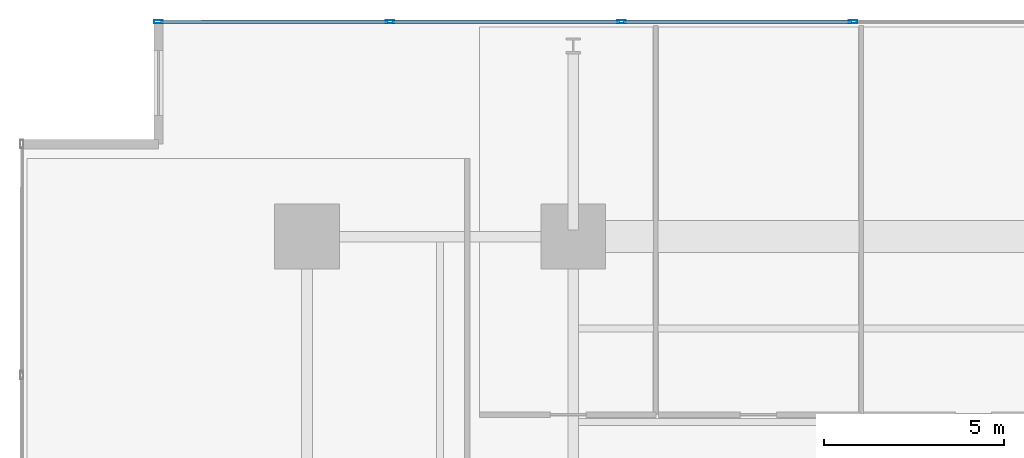
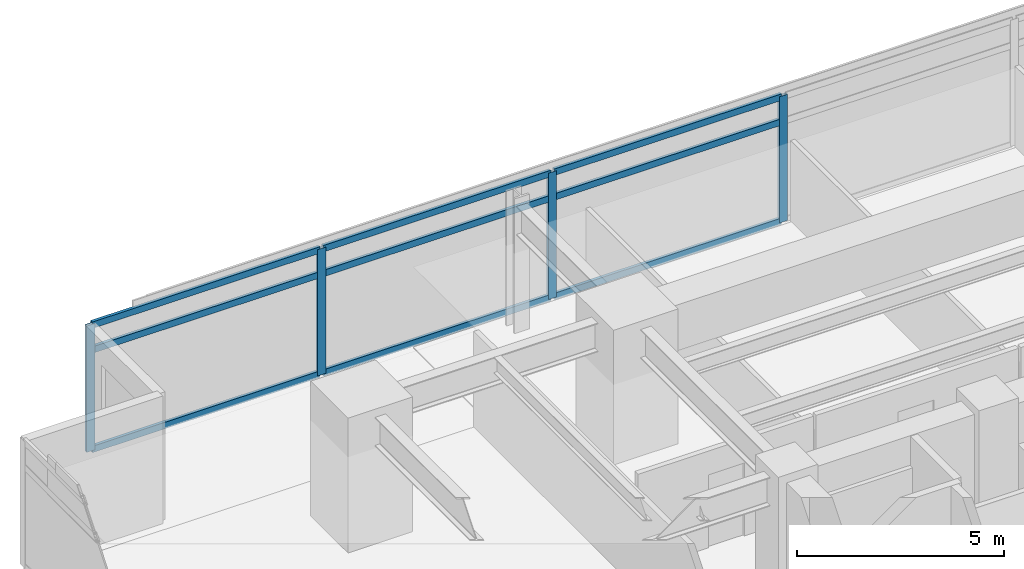
# One storey, part 8 of 21: 13 members, 1 element without a shape of its own.
"""IFC4 building model written with IfcOpenShell, lengths in metres."""

import ifcopenshell
import ifcopenshell.guid

model = None  # the IFC model being written
_history = None  # IfcOwnerHistory: only IFC2X3 demands one
_inside = {}  # id of a spatial element -> (the spatial element, [elements in it])
_under = {}  # id of a project, library or spatial element -> (it, [spatial elements below it])
_declared = {}  # id of a project -> (the project, [libraries it declares])
_typed = {}  # id of a type object -> (the type object, [elements of that type])
_made_of = {}  # id of a material, layer set ... -> (it, [elements and type objects made of it])


def new_model(schema):
    """Start an empty IFC model of exactly this schema.

    Asked for "IFC4X3", IfcOpenShell would pick the latest addendum, in which some entities
    have other attributes; the version numbers below select the first issue.
    IFC2X3 requires an IfcOwnerHistory on every rooted entity: one is made here for all.
    """
    global model, _history
    if schema == "IFC4X3":
        model = ifcopenshell.file(schema_version=(4, 3, 0, 0))
    else:
        model = ifcopenshell.file(schema=schema)
    _inside.clear()
    _under.clear()
    _declared.clear()
    _typed.clear()
    _made_of.clear()
    _history = None
    if model.schema == "IFC2X3":
        org = make("IfcOrganization", Name="unknown")
        user = make(
            "IfcPersonAndOrganization",
            ThePerson=make("IfcPerson", FamilyName="unknown"),
            TheOrganization=org,
        )
        app = make(
            "IfcApplication",
            ApplicationDeveloper=org,
            Version="unknown",
            ApplicationFullName="unknown",
            ApplicationIdentifier="unknown",
        )
        _history = make(
            "IfcOwnerHistory",
            OwningUser=user,
            OwningApplication=app,
            ChangeAction="ADDED",
            CreationDate=0,
        )
    return model


def make(cls, **values):
    """One entity of the class cls with the attributes given. An attribute that is None is left unset."""
    return model.create_entity(
        cls, **{name: value for name, value in values.items() if value is not None}
    )


def rooted(cls, **values):
    """An entity with a GlobalId (a new one), such as an element, a storey or a relation."""
    return make(cls, GlobalId=ifcopenshell.guid.new(), OwnerHistory=_history, **values)


def si_unit(unit_type, name, prefix=None):
    """IfcSIUnit, for example si_unit("LENGTHUNIT", "METRE", prefix="MILLI")."""
    return make("IfcSIUnit", UnitType=unit_type, Prefix=prefix, Name=name)


def assignment(units):
    """IfcUnitAssignment: the units of a project."""
    return None if units is None else make("IfcUnitAssignment", Units=units)


def point(xyz):
    """IfcCartesianPoint."""
    return None if xyz is None else make("IfcCartesianPoint", Coordinates=xyz)


def direction(xyz):
    """IfcDirection."""
    return None if xyz is None else make("IfcDirection", DirectionRatios=xyz)


def frame(location, z_axis=None, x_axis=None):
    """IfcAxis2Placement3D, a coordinate frame: its origin and axes. An axis left out is left unset."""
    return make(
        "IfcAxis2Placement3D",
        Location=point(location),
        Axis=direction(z_axis),
        RefDirection=direction(x_axis),
    )


def frame_2d(location, x_axis=None):
    """IfcAxis2Placement2D, a coordinate frame in the plane: its origin and x axis."""
    return make(
        "IfcAxis2Placement2D", Location=point(location), RefDirection=direction(x_axis)
    )


def origin():
    """The frame at (0, 0, 0) with its axes left unset."""
    return frame((0.0, 0.0, 0.0))


def origin_2d():
    """The frame at (0, 0) in the plane with its x axis left unset."""
    return frame_2d((0.0, 0.0))


def place(relative_to, where):
    """IfcLocalPlacement: puts the frame where relative to a parent placement (None: the world)."""
    return make(
        "IfcLocalPlacement", PlacementRelTo=relative_to, RelativePlacement=where
    )


def context(
    kind, dimensions, precision=None, world=None, true_north=None, identifier=None
):
    """IfcGeometricRepresentationContext, for example the 3D "Model" context."""
    return make(
        "IfcGeometricRepresentationContext",
        ContextIdentifier=identifier,
        ContextType=kind,
        CoordinateSpaceDimension=dimensions,
        Precision=precision,
        WorldCoordinateSystem=world,
        TrueNorth=true_north,
    )


def subcontext(parent, identifier, kind, view, scale=None):
    """IfcGeometricRepresentationSubContext, for example "Body" below "Model"."""
    return make(
        "IfcGeometricRepresentationSubContext",
        ContextIdentifier=identifier,
        ContextType=kind,
        ParentContext=parent,
        TargetScale=scale,
        TargetView=view,
    )


def project(units=None, contexts=None):
    """IfcProject with its units and contexts."""
    return rooted(
        "IfcProject",
        Name="project",
        RepresentationContexts=contexts,
        UnitsInContext=assignment(units),
    )


def spatial(cls, under=None, at=None, **own):
    """A site, building, storey or space (cls), placed at a placement, below another one or the project."""
    s = rooted(cls, ObjectPlacement=at, **own)
    if under is not None:
        _under.setdefault(under.id(), (under, []))[1].append(s)
    return s


def profile(cls, at=None, kind="AREA", **sizes):
    """A parametric profile (cls). Its sizes go by their IFC names, for example OverallWidth=200.0."""
    return make(cls, ProfileType=kind, Position=at, **sizes)


def hollow_rectangle(**sizes):
    """IfcRectangleHollowProfileDef."""
    return profile("IfcRectangleHollowProfileDef", **sizes)


def extrude(swept, where, along, depth):
    """IfcExtrudedAreaSolid: the profile swept, set in the frame where, extruded along a direction by depth."""
    return make(
        "IfcExtrudedAreaSolid",
        SweptArea=swept,
        Position=where,
        ExtrudedDirection=direction(along),
        Depth=depth,
    )


def shape(context_of_items, identifier, shape_type, items):
    """IfcShapeRepresentation: the items that make up one representation, for example the "Body"."""
    return make(
        "IfcShapeRepresentation",
        ContextOfItems=context_of_items,
        RepresentationIdentifier=identifier,
        RepresentationType=shape_type,
        Items=items,
    )


def material(Name=None, Category=None):
    """IfcMaterial."""
    return make("IfcMaterial", Name=Name, Category=Category)


def material_profile(
    of_material, cross_section, Name=None, Category=None, Priority=None
):
    """IfcMaterialProfile: a cross section and its material."""
    return make(
        "IfcMaterialProfile",
        Name=Name,
        Material=of_material,
        Profile=cross_section,
        Priority=Priority,
        Category=Category,
    )


def profile_set(profiles, Name=None, composite=None):
    """IfcMaterialProfileSet."""
    return make(
        "IfcMaterialProfileSet",
        Name=Name,
        MaterialProfiles=profiles,
        CompositeProfile=composite,
    )


def made_of(thing, what):
    """Note that an element or type object is made of a material, layer set ...; save() writes the relation."""
    if what is not None:
        _made_of.setdefault(what.id(), (what, []))[1].append(thing)
    return thing


def type_object(cls, material=None, **own):
    """A type object (cls), such as IfcWallType, which elements share."""
    return made_of(rooted(cls, **own), material)


def element(
    cls,
    number,
    at=None,
    inside=None,
    cuts=None,
    type_object=None,
    material=None,
    context=None,
    identifier="Body",
    shape_type=None,
    held_by="IfcProductDefinitionShape",
    body=None,
    shapes=None,
    **own,
):
    """One element of the class cls, such as IfcWall. Its Tag is "e" and its number.

    at: its placement. inside: the storey or other place that contains it. cuts: it is an
    opening in that element (IfcRelVoidsElement). A single representation is given by context,
    identifier, shape_type and body (its items); several are given by shapes. held_by: the class
    of the entity that holds the representations. save() writes the other relations.
    """
    e = rooted(cls, Tag="e%d" % number, ObjectPlacement=at, **own)
    if body is not None:
        shapes = [shape(context, identifier, shape_type, body)]
    if shapes is not None:
        e.Representation = make(held_by, Representations=shapes)
    if inside is not None:
        _inside.setdefault(inside.id(), (inside, []))[1].append(e)
    if cuts is not None:
        rooted(
            "IfcRelVoidsElement", RelatingBuildingElement=cuts, RelatedOpeningElement=e
        )
    if type_object is not None:
        _typed.setdefault(type_object.id(), (type_object, []))[1].append(e)
    return made_of(e, material)


def aggregate(whole, parts):
    """IfcRelAggregates: a whole, such as a stair, and the parts it consists of."""
    return rooted("IfcRelAggregates", RelatingObject=whole, RelatedObjects=parts)


def save(model, path):
    """Write the relations noted so far, then the file.

    IfcRelAggregates (storeys below a building ...), IfcRelContainedInSpatialStructure (elements
    in a storey), IfcRelDefinesByType, IfcRelAssociatesMaterial and IfcRelDeclares: one each for
    every whole, place, type object, material and project.
    """
    for whole, parts in _under.values():
        aggregate(whole, parts)
    for where, things in _inside.values():
        rooted(
            "IfcRelContainedInSpatialStructure",
            RelatedElements=things,
            RelatingStructure=where,
        )
    for kind, things in _typed.values():
        rooted("IfcRelDefinesByType", RelatedObjects=things, RelatingType=kind)
    for what, things in _made_of.values():
        rooted("IfcRelAssociatesMaterial", RelatedObjects=things, RelatingMaterial=what)
    for by, libraries in _declared.values():
        rooted("IfcRelDeclares", RelatingContext=by, RelatedDefinitions=libraries)
    model.write(path)


model = new_model("IFC4")

# Units and contexts
model_context = context("Model", 3, precision=1e-05, world=origin(), true_north=direction((0.0, 1.0)))
body_context = subcontext(model_context, "Body", "Model", "MODEL_VIEW")
ifc_project = project(units=[si_unit("LENGTHUNIT", "METRE"), si_unit("AREAUNIT", "SQUARE_METRE"), si_unit("VOLUMEUNIT", "CUBIC_METRE"), si_unit("PLANEANGLEUNIT", "RADIAN"), si_unit("MASSUNIT", "GRAM", prefix="KILO")], contexts=[model_context])

# Site, building, storey
site_placement = place(None, origin())
site = spatial("IfcSite", under=ifc_project, at=site_placement, CompositionType="ELEMENT")
building_placement = place(site_placement, origin())
building = spatial("IfcBuilding", under=site, at=building_placement, Name="Kovane Verandah Tower", CompositionType="ELEMENT")
storey_placement = place(building_placement, frame((0.0, 0.0, 87.60009765625)))
storey = spatial("IfcBuildingStorey", under=building, at=storey_placement, Name="L20", CompositionType="ELEMENT", Elevation=87.60009765625)

# Curtain wall, members
ifc_material_1 = material(Name="Champagne Anodised Aluminium Frame with Low-E Clear Laminated Glass", Category="aluminium")
curtain_wall_type = type_object("IfcCurtainWallType", Name="CW-SYS-02-LOW", PredefinedType="NOTDEFINED", material=ifc_material_1)
curtain_wall_placement = place(storey_placement, origin())
curtain_wall = element("IfcCurtainWall", 1, at=curtain_wall_placement, inside=storey, type_object=curtain_wall_type, Name="L20 N Unitised Curtain Wall", PredefinedType="NOTDEFINED")
ifc_material_2 = material(Name="Champagne Anodised Aluminium 6063-T6", Category="aluminium")
ifc_material_profile_1 = material_profile(ifc_material_2, hollow_rectangle(XDim=0.0849609375, YDim=0.22998046875, WallThickness=0.00390625, at=origin_2d()), Name="AL85x230x4")
ifc_profile_set_1 = profile_set([ifc_material_profile_1], Name="Champagne Anodised Aluminium 6063-T6")
member_type_1 = type_object("IfcMemberType", Name="CW-MUL-85x230", PredefinedType="MULLION", material=ifc_profile_set_1)
member_1_placement = place(storey_placement, frame((36.781494140625, 50.1708984375, 0.02001953125), z_axis=(0.0, 0.0, 1.0), x_axis=(0.0, 1.0, 0.0)))
member_1 = element("IfcMember", 2, at=member_1_placement, type_object=member_type_1, Name="L20 N Unitised Curtain Wall Mullion 5", PredefinedType="MULLION", context=body_context, shape_type="SweptSolid", body=[
    extrude(hollow_rectangle(XDim=0.0849609375, YDim=0.22998046875, WallThickness=0.00390625, at=origin_2d()), origin(), (0.0, 0.0, 1.0), 3.719970703125),
])
member_2_placement = place(storey_placement, frame((30.34423828125, 50.1708984375, 0.02001953125), z_axis=(0.0, 0.0, 1.0), x_axis=(0.0, 1.0, 0.0)))
member_2 = element("IfcMember", 3, at=member_2_placement, type_object=member_type_1, Name="L20 N Unitised Curtain Wall Mullion 6", PredefinedType="MULLION", context=body_context, shape_type="SweptSolid", body=[
    extrude(hollow_rectangle(XDim=0.0849609375, YDim=0.22998046875, WallThickness=0.00390625, at=origin_2d()), origin(), (0.0, 0.0, 1.0), 3.719970703125),
])
member_3_placement = place(storey_placement, frame((23.9072265625, 50.1708984375, 0.02001953125), z_axis=(0.0, 0.0, 1.0), x_axis=(0.0, 1.0, 0.0)))
member_3 = element("IfcMember", 4, at=member_3_placement, type_object=member_type_1, Name="L20 N Unitised Curtain Wall Mullion 7", PredefinedType="MULLION", context=body_context, shape_type="SweptSolid", body=[
    extrude(hollow_rectangle(XDim=0.0849609375, YDim=0.22998046875, WallThickness=0.00390625, at=origin_2d()), origin(), (0.0, 0.0, 1.0), 3.719970703125),
])
member_4_placement = place(storey_placement, frame((17.47021484375, 50.1708984375, 0.02001953125), z_axis=(0.0, 0.0, 1.0), x_axis=(0.0, 1.0, 0.0)))
member_4 = element("IfcMember", 5, at=member_4_placement, type_object=member_type_1, Name="L20 N Unitised Curtain Wall Mullion 8", PredefinedType="MULLION", context=body_context, shape_type="SweptSolid", body=[
    extrude(hollow_rectangle(XDim=0.0849609375, YDim=0.22998046875, WallThickness=0.00390625, at=origin_2d()), origin(), (0.0, 0.0, 1.0), 3.719970703125),
])
ifc_material_profile_2 = material_profile(ifc_material_2, hollow_rectangle(XDim=0.0849609375, YDim=0.18994140625, WallThickness=0.00390625, at=origin_2d()), Name="AL85x190x4")
ifc_profile_set_2 = profile_set([ifc_material_profile_2], Name="Champagne Anodised Aluminium 6063-T6")
member_type_2 = type_object("IfcMemberType", Name="CW-TRN-85x190", PredefinedType="USERDEFINED", material=ifc_profile_set_2)
member_5_placement = place(storey_placement, frame((36.7314453125, 50.1708984375, 0.0498046875), z_axis=(-1.0, 0.0, 0.0), x_axis=(0.0, -1.0, 0.0)))
member_5 = element("IfcMember", 6, at=member_5_placement, type_object=member_type_2, Name="L20 N Unitised Curtain Wall Transom TB Bay 5", ObjectType="TRANSOM", PredefinedType="USERDEFINED", context=body_context, shape_type="SweptSolid", body=[
    extrude(hollow_rectangle(XDim=0.0849609375, YDim=0.18994140625, WallThickness=0.00390625, at=origin_2d()), origin(), (0.0, 0.0, 1.0), 6.337158203125),
])
member_6_placement = place(storey_placement, frame((36.7314453125, 50.1708984375, 2.97998046875), z_axis=(-1.0, 0.0, 0.0), x_axis=(0.0, -1.0, 0.0)))
member_6 = element("IfcMember", 7, at=member_6_placement, type_object=member_type_2, Name="L20 N Unitised Curtain Wall Transom TM Bay 5", ObjectType="TRANSOM", PredefinedType="USERDEFINED", context=body_context, shape_type="SweptSolid", body=[
    extrude(hollow_rectangle(XDim=0.0849609375, YDim=0.18994140625, WallThickness=0.00390625, at=origin_2d()), origin(), (0.0, 0.0, 1.0), 6.337158203125),
])
member_7_placement = place(storey_placement, frame((36.7314453125, 50.1708984375, 3.7099609375), z_axis=(-1.0, 0.0, 0.0), x_axis=(0.0, -1.0, 0.0)))
member_7 = element("IfcMember", 8, at=member_7_placement, type_object=member_type_2, Name="L20 N Unitised Curtain Wall Transom TT Bay 5", ObjectType="TRANSOM", PredefinedType="USERDEFINED", context=body_context, shape_type="SweptSolid", body=[
    extrude(hollow_rectangle(XDim=0.0849609375, YDim=0.18994140625, WallThickness=0.00390625, at=origin_2d()), origin(), (0.0, 0.0, 1.0), 6.337158203125),
])
member_8_placement = place(storey_placement, frame((30.294189453125, 50.1708984375, 0.0498046875), z_axis=(-1.0, 0.0, 0.0), x_axis=(0.0, -1.0, 0.0)))
member_8 = element("IfcMember", 9, at=member_8_placement, type_object=member_type_2, Name="L20 N Unitised Curtain Wall Transom TB Bay 6", ObjectType="TRANSOM", PredefinedType="USERDEFINED", context=body_context, shape_type="SweptSolid", body=[
    extrude(hollow_rectangle(XDim=0.0849609375, YDim=0.18994140625, WallThickness=0.00390625, at=origin_2d()), origin(), (0.0, 0.0, 1.0), 6.3369140625),
])
member_9_placement = place(storey_placement, frame((30.294189453125, 50.1708984375, 2.97998046875), z_axis=(-1.0, 0.0, 0.0), x_axis=(0.0, -1.0, 0.0)))
member_9 = element("IfcMember", 10, at=member_9_placement, type_object=member_type_2, Name="L20 N Unitised Curtain Wall Transom TM Bay 6", ObjectType="TRANSOM", PredefinedType="USERDEFINED", context=body_context, shape_type="SweptSolid", body=[
    extrude(hollow_rectangle(XDim=0.0849609375, YDim=0.18994140625, WallThickness=0.00390625, at=origin_2d()), origin(), (0.0, 0.0, 1.0), 6.3369140625),
])
member_10_placement = place(storey_placement, frame((30.294189453125, 50.1708984375, 3.7099609375), z_axis=(-1.0, 0.0, 0.0), x_axis=(0.0, -1.0, 0.0)))
member_10 = element("IfcMember", 11, at=member_10_placement, type_object=member_type_2, Name="L20 N Unitised Curtain Wall Transom TT Bay 6", ObjectType="TRANSOM", PredefinedType="USERDEFINED", context=body_context, shape_type="SweptSolid", body=[
    extrude(hollow_rectangle(XDim=0.0849609375, YDim=0.18994140625, WallThickness=0.00390625, at=origin_2d()), origin(), (0.0, 0.0, 1.0), 6.3369140625),
])
member_11_placement = place(storey_placement, frame((23.857177734375, 50.1708984375, 0.0498046875), z_axis=(-1.0, 0.0, 0.0), x_axis=(0.0, -1.0, 0.0)))
member_11 = element("IfcMember", 12, at=member_11_placement, type_object=member_type_2, Name="L20 N Unitised Curtain Wall Transom TB Bay 7", ObjectType="TRANSOM", PredefinedType="USERDEFINED", context=body_context, shape_type="SweptSolid", body=[
    extrude(hollow_rectangle(XDim=0.0849609375, YDim=0.18994140625, WallThickness=0.00390625, at=origin_2d()), origin(), (0.0, 0.0, 1.0), 6.337158203125),
])
member_12_placement = place(storey_placement, frame((23.857177734375, 50.1708984375, 2.97998046875), z_axis=(-1.0, 0.0, 0.0), x_axis=(0.0, -1.0, 0.0)))
member_12 = element("IfcMember", 13, at=member_12_placement, type_object=member_type_2, Name="L20 N Unitised Curtain Wall Transom TM Bay 7", ObjectType="TRANSOM", PredefinedType="USERDEFINED", context=body_context, shape_type="SweptSolid", body=[
    extrude(hollow_rectangle(XDim=0.0849609375, YDim=0.18994140625, WallThickness=0.00390625, at=origin_2d()), origin(), (0.0, 0.0, 1.0), 6.337158203125),
])
member_13_placement = place(storey_placement, frame((23.857177734375, 50.1708984375, 3.7099609375), z_axis=(-1.0, 0.0, 0.0), x_axis=(0.0, -1.0, 0.0)))
member_13 = element("IfcMember", 14, at=member_13_placement, type_object=member_type_2, Name="L20 N Unitised Curtain Wall Transom TT Bay 7", ObjectType="TRANSOM", PredefinedType="USERDEFINED", context=body_context, shape_type="SweptSolid", body=[
    extrude(hollow_rectangle(XDim=0.0849609375, YDim=0.18994140625, WallThickness=0.00390625, at=origin_2d()), origin(), (0.0, 0.0, 1.0), 6.337158203125),
])
aggregate(curtain_wall, [member_1, member_2, member_3, member_4, member_5, member_6, member_7, member_8, member_9, member_10, member_11, member_12, member_13])

save(model, "model.ifc")
